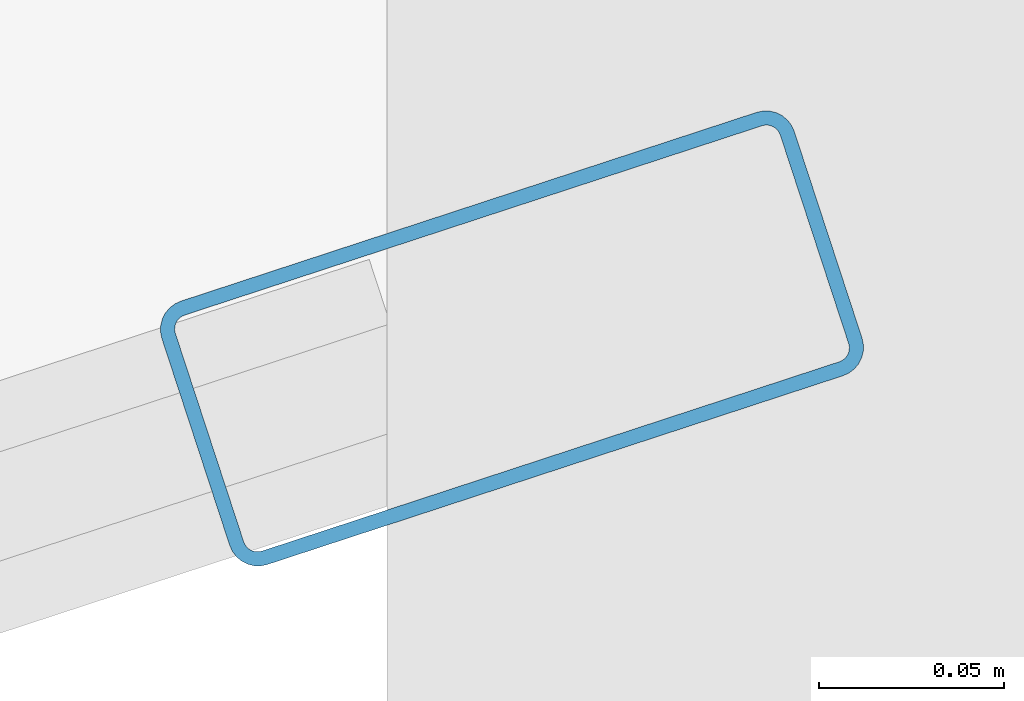
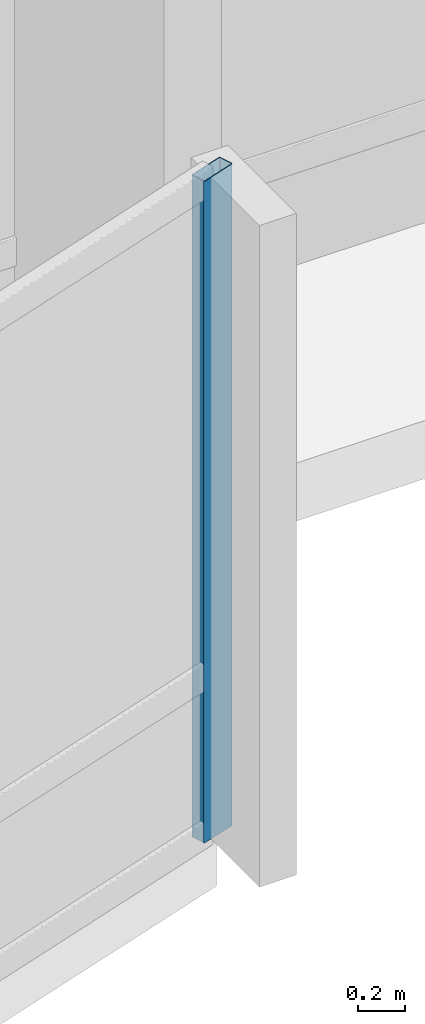
# One storey, part 10 of 34: 1 member, 1 element without a shape of its own.
"""IFC4 building model written with IfcOpenShell, lengths in metres."""

from ifc_helpers import new_model, si_unit, direction, frame, origin, origin_2d, place, context, subcontext, project, spatial, hollow_rectangle, extrude, material, layer, layer_set, material_profile, profile_set, type_object, element, aggregate, save


model = new_model("IFC4")

# Units and contexts
model_context = context("Model", 3, precision=1e-05, world=origin(), true_north=direction((0.0, 1.0)))
body_context = subcontext(model_context, "Body", "Model", "MODEL_VIEW")
ifc_project = project(units=[si_unit("LENGTHUNIT", "METRE"), si_unit("AREAUNIT", "SQUARE_METRE"), si_unit("VOLUMEUNIT", "CUBIC_METRE"), si_unit("PLANEANGLEUNIT", "RADIAN"), si_unit("MASSUNIT", "GRAM", prefix="KILO")], contexts=[model_context])

# Site, building, storey
site_placement = place(None, origin())
site = spatial("IfcSite", under=ifc_project, at=site_placement, CompositionType="ELEMENT")
building_placement = place(site_placement, origin())
building = spatial("IfcBuilding", under=site, at=building_placement, Name="Solvaryn Broadcast Tower", CompositionType="ELEMENT")
storey_placement = place(building_placement, frame((0.0, 0.0, 61.89990234375)))
storey = spatial("IfcBuildingStorey", under=building, at=storey_placement, Name="L14", CompositionType="ELEMENT", Elevation=61.89990234375)

# Curtain wall, member
ifc_material_1 = material(Name="Aluminium and Terracotta Unitised Curtain Wall", Category="masonry")
ifc_layer = layer(ifc_material_1, 0.199951171875)
ifc_layer_set = layer_set([ifc_layer], Name="CW-SYS2-LOWMID")
curtain_wall_type = type_object("IfcCurtainWallType", Name="CW-SYS2-LOWMID", PredefinedType="NOTDEFINED", material=ifc_layer_set)
curtain_wall_placement = place(storey_placement, origin())
curtain_wall = element("IfcCurtainWall", 1, at=curtain_wall_placement, inside=storey, type_object=curtain_wall_type, Name="L14 Curtain Wall DR4", PredefinedType="NOTDEFINED")
ifc_material_2 = material(Name="Anodised Aluminium 6063-T6", Category="aluminium")
ifc_material_profile = material_profile(ifc_material_2, hollow_rectangle(XDim=0.074951171875, YDim=0.179931640625, WallThickness=0.00390625, InnerFilletRadius=0.00390625, OuterFilletRadius=0.008056640625, at=origin_2d()))
ifc_profile_set = profile_set([ifc_material_profile], Name="Anodised Aluminium 6063-T6")
member_type = type_object("IfcMemberType", Name="CW-MUL-180", PredefinedType="MULLION", material=ifc_profile_set)
member_placement = place(storey_placement, frame((45.987548828125, 5.90673828125, 0.0), z_axis=(0.0, 0.0, 1.0), x_axis=(-0.311594044587, 0.950215318429, 0.0)))
member = element("IfcMember", 2, at=member_placement, type_object=member_type, Name="CWS2 mullion 2", PredefinedType="MULLION", context=body_context, shape_type="SweptSolid", body=[
    extrude(hollow_rectangle(XDim=0.074951171875, YDim=0.179931640625, WallThickness=0.00390625, InnerFilletRadius=0.00390625, OuterFilletRadius=0.008056640625, at=origin_2d()), origin(), (0.0, 0.0, 1.0), 3.420166015625),
])
aggregate(curtain_wall, [member])

save(model, "model.ifc")
